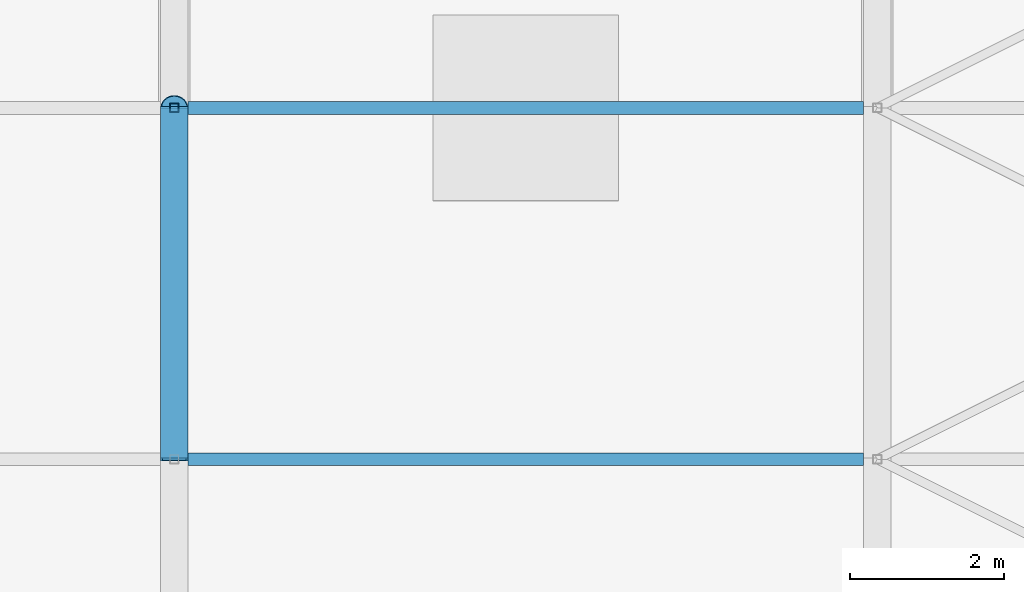
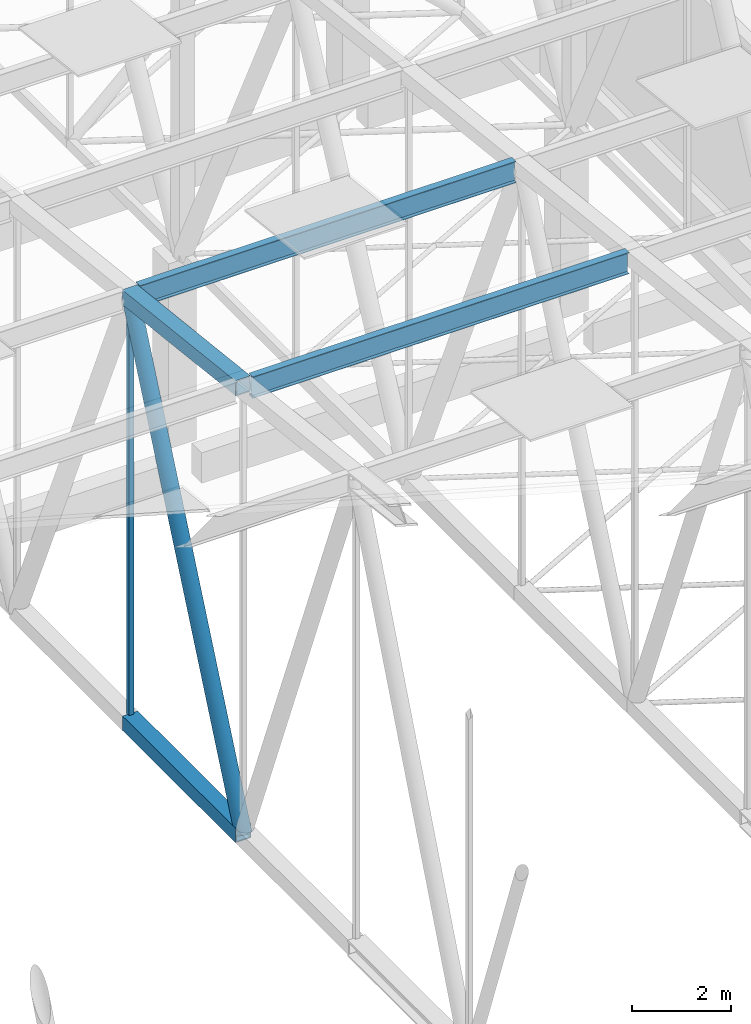
# One storey, part 270 of 500: 6 members.
"""IFC4 building model written with IfcOpenShell, lengths in metres."""

from ifc_helpers import new_model, si_unit, direction, frame, origin, origin_2d, place, context, subcontext, project, spatial, hollow_rectangle, hollow_circle, i_section, extrude, material, material_profile, profile_set, type_object, element, save


model = new_model("IFC4")

# Units and contexts
model_context = context("Model", 3, precision=1e-05, world=origin(), true_north=direction((0.0, 1.0)))
body_context = subcontext(model_context, "Body", "Model", "MODEL_VIEW")
ifc_project = project(units=[si_unit("LENGTHUNIT", "METRE"), si_unit("AREAUNIT", "SQUARE_METRE"), si_unit("VOLUMEUNIT", "CUBIC_METRE"), si_unit("PLANEANGLEUNIT", "RADIAN"), si_unit("MASSUNIT", "GRAM", prefix="KILO")], contexts=[model_context])

# Site, building, storey
site_placement = place(None, origin())
site = spatial("IfcSite", under=ifc_project, at=site_placement, CompositionType="ELEMENT")
building_placement = place(site_placement, origin())
building = spatial("IfcBuilding", under=site, at=building_placement, Name="Shirokan Park Arena", CompositionType="ELEMENT")
storey_placement = place(building_placement, frame((0.0, 0.0, 29.1201171875)))
storey = spatial("IfcBuildingStorey", under=building, at=storey_placement, Name="L06", CompositionType="ELEMENT", Elevation=29.1201171875)

# Members
ifc_material_1 = material(Name="Steel S355J2H", Category="steel")
ifc_material_profile_1 = material_profile(ifc_material_1, hollow_rectangle(XDim=0.35595703125, YDim=0.35595703125, WallThickness=0.025390625, at=origin_2d()), Name="HSS355.6X355.6X25.4")
ifc_profile_set_1 = profile_set([ifc_material_profile_1], Name="Steel S355J2H")
member_type_1 = type_object("IfcMemberType", Name="Bottom chord HSS355.6X355.6X25.4", PredefinedType="CHORD", material=ifc_profile_set_1)
member_1_placement = place(storey_placement, frame((81.89990234375, 81.89990234375, 4.677001953125), z_axis=(0.0, 1.0, 0.0), x_axis=(-1.0, 0.0, 0.0)))
element("IfcMember", 1, at=member_1_placement, inside=storey, type_object=member_type_1, Name="Truss T10 bottom chord 21", PredefinedType="CHORD", context=body_context, shape_type="SweptSolid", body=[
    extrude(hollow_rectangle(XDim=0.35595703125, YDim=0.35595703125, WallThickness=0.025390625, at=origin_2d()), origin(), (0.0, 0.0, 1.0), 4.550048828125),
])
ifc_material_2 = material(Name="Steel ASTM A992", Category="steel")
ifc_material_profile_2 = material_profile(ifc_material_2, i_section(OverallWidth=0.166015625, OverallDepth=0.528076171875, WebThickness=0.009765625, FlangeThickness=0.013671875, at=origin_2d()), Name="W530X74")
ifc_profile_set_2 = profile_set([ifc_material_profile_2], Name="Steel ASTM A992")
member_type_2 = type_object("IfcMemberType", Name="Purlin W530X74", PredefinedType="PURLIN", material=ifc_profile_set_2)
for number, where, z_axis, x_axis, name in (
    (2, (82.077880859375, 81.89990234375, 15.60595703125), (1.0, 0.0, 0.0), (0.0, 1.0, 0.0), "Purlin 21 bay 10"),
    (3, (82.077880859375, 86.449951171875, 15.0859375), (1.0, 0.0, 0.0), (0.0, 1.0, 0.0), "Purlin 22 bay 10"),
):
    element("IfcMember", number, at=place(storey_placement, frame(where, z_axis=z_axis, x_axis=x_axis)), inside=storey, type_object=member_type_2, Name=name, PredefinedType="PURLIN", context=body_context, shape_type="SweptSolid", body=[
        extrude(i_section(OverallWidth=0.166015625, OverallDepth=0.528076171875, WebThickness=0.009765625, FlangeThickness=0.013671875, at=origin_2d()), origin(), (0.0, 0.0, 1.0), 8.744140625),
    ])
ifc_material_profile_3 = material_profile(ifc_material_1, hollow_rectangle(XDim=0.35595703125, YDim=0.35595703125, WallThickness=0.025390625, at=origin_2d()), Name="HSS355.6X355.6X25.4")
ifc_profile_set_3 = profile_set([ifc_material_profile_3], Name="Steel S355J2H")
member_type_3 = type_object("IfcMemberType", Name="Top chord HSS355.6X355.6X25.4", PredefinedType="CHORD", material=ifc_profile_set_3)
member_2_placement = place(storey_placement, frame((81.89990234375, 81.89990234375, 15.661376953125), z_axis=(0.0, 0.993532328996, -0.113549598152), x_axis=(-1.0, 0.0, 0.0)))
element("IfcMember", 4, at=member_2_placement, inside=storey, type_object=member_type_3, Name="Truss T10 top chord 21", PredefinedType="CHORD", context=body_context, shape_type="SweptSolid", body=[
    extrude(hollow_rectangle(XDim=0.35595703125, YDim=0.35595703125, WallThickness=0.025390625, at=origin_2d()), origin(), (0.0, 0.0, 1.0), 4.57958984375),
])
ifc_material_3 = material(Name="Steel ASTM A500 Grade C", Category="steel")
ifc_material_profile_4 = material_profile(ifc_material_3, hollow_circle(Radius=0.177978515625, WallThickness=0.0126953125, at=origin_2d()), Name="HSS355.6X12.7")
ifc_profile_set_4 = profile_set([ifc_material_profile_4], Name="Steel ASTM A500 Grade C")
member_type_4 = type_object("IfcMemberType", Name="Truss diagonal HSS355.6X12.7", PredefinedType="BRACE", material=ifc_profile_set_4)
member_3_placement = place(storey_placement, frame((81.89990234375, 81.89990234375, 4.677001953125), z_axis=(0.0, 0.398750364192, 0.917059511186), x_axis=(-1.0, 0.0, 0.0)))
element("IfcMember", 5, at=member_3_placement, inside=storey, type_object=member_type_4, Name="Truss T10 diagonal 21", PredefinedType="BRACE", context=body_context, shape_type="SweptSolid", body=[
    extrude(hollow_circle(Radius=0.177978515625, WallThickness=0.0126953125, at=origin_2d()), origin(), (0.0, 0.0, 1.0), 11.410888671875),
])
ifc_material_profile_5 = material_profile(ifc_material_3, hollow_rectangle(XDim=0.114013671875, YDim=0.114013671875, WallThickness=0.00634765625, at=origin_2d()), Name="HSS114.3X114.3X6.4")
ifc_profile_set_5 = profile_set([ifc_material_profile_5], Name="Steel ASTM A500 Grade C")
member_type_5 = type_object("IfcMemberType", Name="Truss post HSS114.3X114.3X6.4", PredefinedType="POST", material=ifc_profile_set_5)
member_4_placement = place(storey_placement, frame((81.89990234375, 86.449951171875, 4.677001953125), z_axis=(0.0, 0.0, 1.0), x_axis=(1.0, 0.0, 0.0)))
element("IfcMember", 6, at=member_4_placement, inside=storey, type_object=member_type_5, Name="Truss T10 post 22", PredefinedType="POST", context=body_context, shape_type="SweptSolid", body=[
    extrude(hollow_rectangle(XDim=0.114013671875, YDim=0.114013671875, WallThickness=0.00634765625, at=origin_2d()), origin(), (0.0, 0.0, 1.0), 10.46435546875),
])

save(model, "model.ifc")
